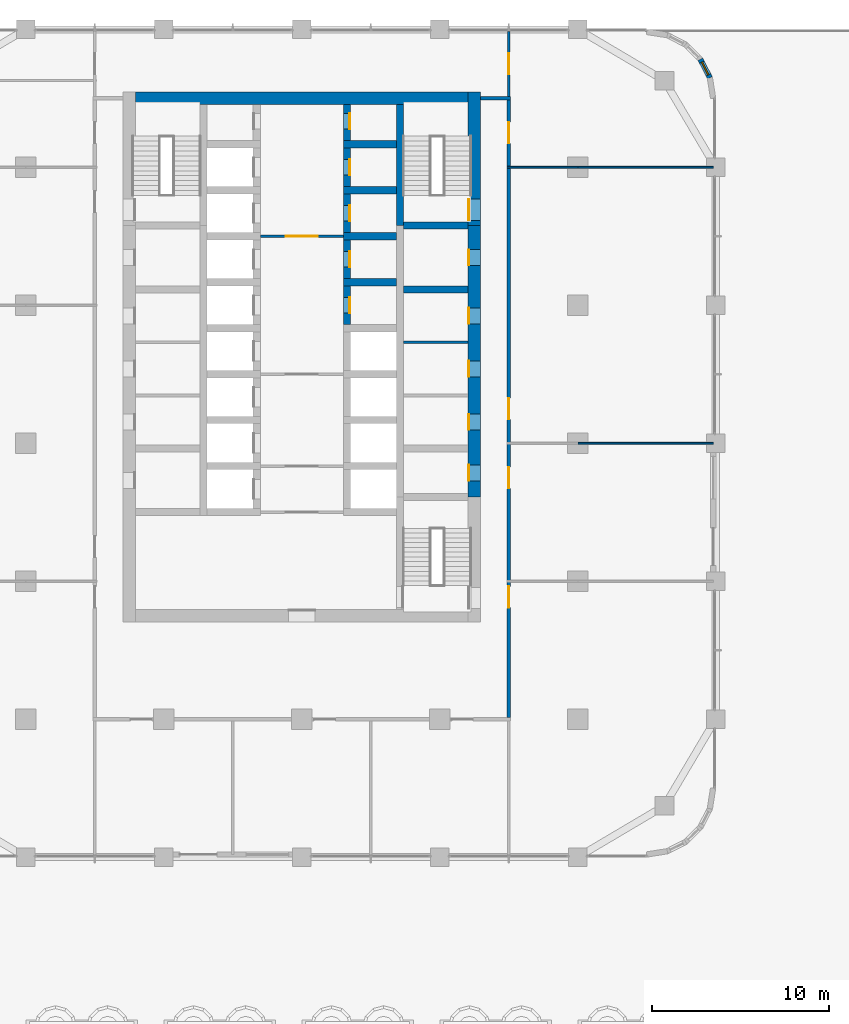
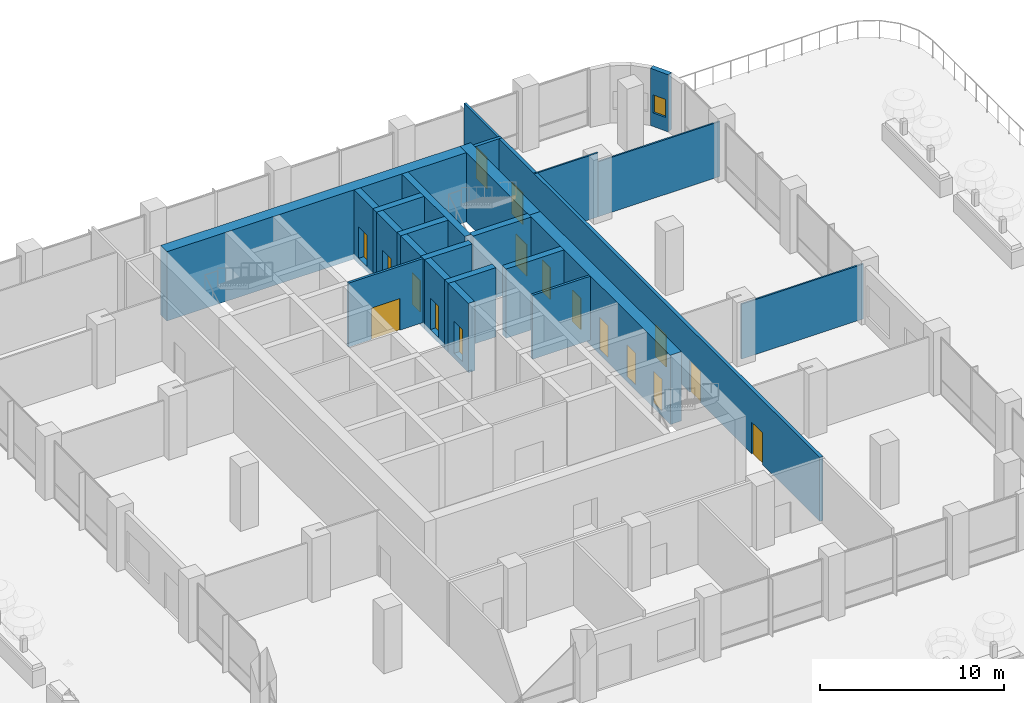
# One storey, part 15 of 31: 24 walls, 17 doors, 1 window, 18 openings.
"""IFC4 building model written with IfcOpenShell, lengths in metres."""

from ifc_helpers import new_model, si_unit, direction, frame, frame_2d, origin, place, context, subcontext, project, spatial, rectangle, extrude, material, layer, layer_set, type_object, element, fill, save


model = new_model("IFC4")

# Units and contexts
model_context = context("Model", 3, precision=1e-05, world=origin(), true_north=direction((0.0, 1.0)))
body_context = subcontext(model_context, "Body", "Model", "MODEL_VIEW")
ifc_project = project(units=[si_unit("LENGTHUNIT", "METRE"), si_unit("AREAUNIT", "SQUARE_METRE"), si_unit("VOLUMEUNIT", "CUBIC_METRE"), si_unit("PLANEANGLEUNIT", "RADIAN"), si_unit("MASSUNIT", "GRAM", prefix="KILO")], contexts=[model_context])

# Site, building, storey
site_placement = place(None, origin())
site = spatial("IfcSite", under=ifc_project, at=site_placement, CompositionType="ELEMENT")
building_placement = place(site_placement, origin())
building = spatial("IfcBuilding", under=site, at=building_placement, Name="Ludao Terraces", CompositionType="ELEMENT")
storey_placement = place(building_placement, frame((0.0, 0.0, 15.0)))
storey = spatial("IfcBuildingStorey", under=building, at=storey_placement, Name="L03", CompositionType="ELEMENT", Elevation=15.0)

# Wall, openings, doors
ifc_material_1 = material(Name="Concrete C70", Category="concrete")
ifc_layer_1 = layer(ifc_material_1, 0.699951171875)
ifc_layer_set_1 = layer_set([ifc_layer_1], Name="Core wall 700 C70")
wall_type_1 = type_object("IfcWallType", Name="Core wall 700 C70", PredefinedType="SOLIDWALL", material=ifc_layer_set_1)
wall_1_placement = place(storey_placement, frame((94.75, 61.949951171875, -0.35009765625), z_axis=(0.0, 0.0, 1.0), x_axis=(0.0, 1.0, 0.0)))
wall_1 = element("IfcWall", 1, at=wall_1_placement, inside=storey, type_object=wall_type_1, Name="Core wall L03 outer-E", PredefinedType="SOLIDWALL", context=body_context, shape_type="SweptSolid", body=[
    extrude(rectangle(XDim=15.35009765625, YDim=0.699951171875, at=frame_2d((7.675048828125, 0.0))), origin(), (0.0, 0.0, 1.0), 4.60009765625),
])
opening_1_placement = place(wall_1_placement, frame((0.925048828125, 0.0, 0.35009765625)))
opening_1 = element("IfcOpeningElement", 2, at=opening_1_placement, cuts=wall_1, Name="Opening A1-014", PredefinedType="OPENING", context=body_context, shape_type="SweptSolid", body=[
    extrude(rectangle(XDim=0.89990234375, YDim=2.10009765625, at=frame_2d((0.449951171875, 1.050048828125))), frame((0.0, 0.35986328125, 0.0), z_axis=(0.0, -1.0, 0.0), x_axis=(1.0, 0.0, 0.0)), (0.0, 0.0, 1.0), 0.719970703125),
])
opening_2_placement = place(wall_1_placement, frame((3.800048828125, 0.0, 0.35009765625)))
opening_2 = element("IfcOpeningElement", 3, at=opening_2_placement, cuts=wall_1, Name="Opening A1-018", PredefinedType="OPENING", context=body_context, shape_type="SweptSolid", body=[
    extrude(rectangle(XDim=0.89990234375, YDim=2.10009765625, at=frame_2d((0.449951171875, 1.050048828125))), frame((0.0, 0.35986328125, 0.0), z_axis=(0.0, -1.0, 0.0), x_axis=(1.0, 0.0, 0.0)), (0.0, 0.0, 1.0), 0.719970703125),
])
opening_3_placement = place(wall_1_placement, frame((6.800048828125, 0.0, 0.35009765625)))
opening_3 = element("IfcOpeningElement", 4, at=opening_3_placement, cuts=wall_1, Name="Opening A1-023", PredefinedType="OPENING", context=body_context, shape_type="SweptSolid", body=[
    extrude(rectangle(XDim=0.89990234375, YDim=2.10009765625, at=frame_2d((0.449951171875, 1.050048828125))), frame((0.0, 0.35986328125, 0.0), z_axis=(0.0, -1.0, 0.0), x_axis=(1.0, 0.0, 0.0)), (0.0, 0.0, 1.0), 0.719970703125),
])
opening_4_placement = place(wall_1_placement, frame((9.800048828125, 0.0, 0.35009765625)))
opening_4 = element("IfcOpeningElement", 5, at=opening_4_placement, cuts=wall_1, Name="Opening A1-026", PredefinedType="OPENING", context=body_context, shape_type="SweptSolid", body=[
    extrude(rectangle(XDim=0.89990234375, YDim=2.10009765625, at=frame_2d((0.449951171875, 1.050048828125))), frame((0.0, 0.35986328125, 0.0), z_axis=(0.0, -1.0, 0.0), x_axis=(1.0, 0.0, 0.0)), (0.0, 0.0, 1.0), 0.719970703125),
])
opening_5_placement = place(wall_1_placement, frame((13.10009765625, 0.0, 0.35009765625)))
opening_5 = element("IfcOpeningElement", 6, at=opening_5_placement, cuts=wall_1, Name="Opening A1-032", PredefinedType="OPENING", context=body_context, shape_type="SweptSolid", body=[
    extrude(rectangle(XDim=0.89990234375, YDim=2.10009765625, at=frame_2d((0.449951171875, 1.050048828125))), frame((0.0, 0.35986328125, 0.0), z_axis=(0.0, -1.0, 0.0), x_axis=(1.0, 0.0, 0.0)), (0.0, 0.0, 1.0), 0.719970703125),
])
ifc_material_2 = material(Name="Steel Q235", Category="steel")
door_type_1 = type_object("IfcDoorType", Name="INT Riser door 900", OperationType="SINGLE_SWING_LEFT", PredefinedType="DOOR", material=ifc_material_2)
door_1_placement = place(opening_1_placement, origin())
door_1 = element("IfcDoor", 7, at=door_1_placement, inside=storey, type_object=door_type_1, Name="DOOR 014", OperationType="SINGLE_SWING_LEFT", OverallHeight=2.10009765625, OverallWidth=0.89990234375, PredefinedType="DOOR", context=body_context, shape_type="SweptSolid", body=[
    extrude(rectangle(XDim=0.89990234375, YDim=2.10009765625, at=frame_2d((0.449951171875, 1.050048828125))), frame((0.0, 0.3349609375, 0.0), z_axis=(0.0, -1.0, 0.0), x_axis=(1.0, 0.0, 0.0)), (0.0, 0.0, 1.0), 0.050048828125),
])
fill(opening_1, door_1)
door_2_placement = place(opening_5_placement, origin())
door_2 = element("IfcDoor", 8, at=door_2_placement, inside=storey, type_object=door_type_1, Name="DOOR 032", OperationType="SINGLE_SWING_LEFT", OverallHeight=2.10009765625, OverallWidth=0.89990234375, PredefinedType="DOOR", context=body_context, shape_type="SweptSolid", body=[
    extrude(rectangle(XDim=0.89990234375, YDim=2.10009765625, at=frame_2d((0.449951171875, 1.050048828125))), frame((0.0, 0.3349609375, 0.0), z_axis=(0.0, -1.0, 0.0), x_axis=(1.0, 0.0, 0.0)), (0.0, 0.0, 1.0), 0.050048828125),
])
fill(opening_5, door_2)
ifc_material_3 = material(Name="Timber door leaf", Category="wood")
door_type_2 = type_object("IfcDoorType", Name="INT Room door 900", OperationType="SINGLE_SWING_LEFT", PredefinedType="DOOR", material=ifc_material_3)
door_3_placement = place(opening_2_placement, origin())
door_3 = element("IfcDoor", 9, at=door_3_placement, inside=storey, type_object=door_type_2, Name="DOOR 018", OperationType="SINGLE_SWING_LEFT", OverallHeight=2.10009765625, OverallWidth=0.89990234375, PredefinedType="DOOR", context=body_context, shape_type="SweptSolid", body=[
    extrude(rectangle(XDim=0.89990234375, YDim=2.10009765625, at=frame_2d((0.449951171875, 1.050048828125))), frame((0.0, 0.3349609375, 0.0), z_axis=(0.0, -1.0, 0.0), x_axis=(1.0, 0.0, 0.0)), (0.0, 0.0, 1.0), 0.050048828125),
])
fill(opening_2, door_3)
door_4_placement = place(opening_3_placement, origin())
door_4 = element("IfcDoor", 10, at=door_4_placement, inside=storey, type_object=door_type_2, Name="DOOR 023", OperationType="SINGLE_SWING_LEFT", OverallHeight=2.10009765625, OverallWidth=0.89990234375, PredefinedType="DOOR", context=body_context, shape_type="SweptSolid", body=[
    extrude(rectangle(XDim=0.89990234375, YDim=2.10009765625, at=frame_2d((0.449951171875, 1.050048828125))), frame((0.0, 0.3349609375, 0.0), z_axis=(0.0, -1.0, 0.0), x_axis=(1.0, 0.0, 0.0)), (0.0, 0.0, 1.0), 0.050048828125),
])
fill(opening_3, door_4)
door_5_placement = place(opening_4_placement, origin())
door_5 = element("IfcDoor", 11, at=door_5_placement, inside=storey, type_object=door_type_2, Name="DOOR 026", OperationType="SINGLE_SWING_RIGHT", OverallHeight=2.10009765625, OverallWidth=0.89990234375, PredefinedType="DOOR", context=body_context, shape_type="SweptSolid", body=[
    extrude(rectangle(XDim=0.89990234375, YDim=2.10009765625, at=frame_2d((0.449951171875, 1.050048828125))), frame((0.0, 0.3349609375, 0.0), z_axis=(0.0, -1.0, 0.0), x_axis=(1.0, 0.0, 0.0)), (0.0, 0.0, 1.0), 0.050048828125),
])
fill(opening_4, door_5)

# Wall, opening, door
wall_2_placement = place(storey_placement, frame((94.75, 77.300048828125, -0.35009765625), z_axis=(0.0, 0.0, 1.0), x_axis=(0.0, 1.0, 0.0)))
wall_2 = element("IfcWall", 12, at=wall_2_placement, inside=storey, type_object=wall_type_1, Name="Core wall L03 outer-E-S2", PredefinedType="SOLIDWALL", context=body_context, shape_type="SweptSolid", body=[
    extrude(rectangle(XDim=7.550048828125, YDim=0.699951171875, at=frame_2d((3.77490234375, 0.0))), origin(), (0.0, 0.0, 1.0), 4.60009765625),
])
opening_6_placement = place(wall_2_placement, frame((0.300048828125, 0.0, 0.35009765625)))
opening_6 = element("IfcOpeningElement", 13, at=opening_6_placement, cuts=wall_2, Name="Opening A1-037", PredefinedType="OPENING", context=body_context, shape_type="SweptSolid", body=[
    extrude(rectangle(XDim=1.199951171875, YDim=2.10009765625, at=frame_2d((0.60009765625, 1.050048828125))), frame((0.0, 0.35986328125, 0.0), z_axis=(0.0, -1.0, 0.0), x_axis=(1.0, 0.0, 0.0)), (0.0, 0.0, 1.0), 0.719970703125),
])
door_type_3 = type_object("IfcDoorType", Name="INT Stair door 1200", OperationType="DOUBLE_DOOR_SINGLE_SWING", PredefinedType="DOOR", material=ifc_material_2)
door_6_placement = place(opening_6_placement, origin())
door_6 = element("IfcDoor", 14, at=door_6_placement, inside=storey, type_object=door_type_3, Name="DOOR 037", OperationType="DOUBLE_DOOR_SINGLE_SWING", OverallHeight=2.10009765625, OverallWidth=1.199951171875, PredefinedType="DOOR", context=body_context, shape_type="SweptSolid", body=[
    extrude(rectangle(XDim=1.199951171875, YDim=2.10009765625, at=frame_2d((0.60009765625, 1.050048828125))), frame((0.0, 0.3349609375, 0.0), z_axis=(0.0, -1.0, 0.0), x_axis=(1.0, 0.0, 0.0)), (0.0, 0.0, 1.0), 0.050048828125),
])
fill(opening_6, door_6)

# Wall
wall_3_placement = place(storey_placement, frame((75.60009765625, 84.5, -0.35009765625), z_axis=(0.0, 0.0, 1.0), x_axis=(1.0, 0.0, 0.0)))
element("IfcWall", 15, at=wall_3_placement, inside=storey, type_object=wall_type_1, Name="Core wall L03 outer-N", PredefinedType="SOLIDWALL", context=body_context, shape_type="SweptSolid", body=[
    extrude(rectangle(XDim=18.7998046875, YDim=0.699951171875, at=frame_2d((9.39990234375, 0.0))), origin(), (0.0, 0.0, 1.0), 4.60009765625),
])

# Wall, opening, window
ifc_material_4 = material(Name="Granite cladding", Category="masonry")
ifc_layer_2 = layer(ifc_material_4, 0.0400390625, Category="stone")
ifc_material_5 = material(Name="Mineral wool")
ifc_layer_3 = layer(ifc_material_5, 0.06005859375)
ifc_material_6 = material(Name="Concrete C40", Category="concrete")
ifc_layer_4 = layer(ifc_material_6, 0.199951171875, Category="concrete")
ifc_layer_set_2 = layer_set([ifc_layer_2, ifc_layer_3, ifc_layer_4], Name="ENV Stone-clad wall 300")
wall_type_2 = type_object("IfcWallType", Name="ENV Stone-clad wall 300", PredefinedType="SOLIDWALL", material=ifc_layer_set_2)
wall_4_placement = place(storey_placement, frame((108.06640625, 85.65869140625, 0.0), z_axis=(0.0, 0.0, 1.0), x_axis=(-0.454025524128, 0.890988677504, 0.0)))
wall_4 = element("IfcWall", 16, at=wall_4_placement, inside=storey, type_object=wall_type_2, Name="EW-L03-NE2", PredefinedType="SOLIDWALL", context=body_context, shape_type="SweptSolid", body=[
    extrude(rectangle(XDim=1.17333984375, YDim=0.300048828125, at=frame_2d((0.586669921875, 0.0))), origin(), (0.0, 0.0, 1.0), 3.800048828125),
])
opening_7_placement = place(wall_4_placement, frame((0.1865234375, 0.0, 0.89990234375)))
opening_7 = element("IfcOpeningElement", 17, at=opening_7_placement, cuts=wall_4, Name="Opening W3", PredefinedType="OPENING", context=body_context, shape_type="SweptSolid", body=[
    extrude(rectangle(XDim=0.800048828125, YDim=1.199951171875, at=frame_2d((0.39990234375, 0.60009765625))), frame((0.0, 0.16015625, 0.0), z_axis=(0.0, -1.0, 0.0), x_axis=(1.0, 0.0, 0.0)), (0.0, 0.0, 1.0), 0.320068359375),
])
ifc_material_7 = material(Name="Clear glass in aluminium frame", Category="aluminium")
ifc_layer_5 = layer(ifc_material_7, 0.06005859375)
ifc_layer_set_3 = layer_set([ifc_layer_5], Name="ENV Window W3 800x1200")
window_type = type_object("IfcWindowType", Name="ENV Window W3 800x1200", PartitioningType="SINGLE_PANEL", PredefinedType="WINDOW", material=ifc_layer_set_3)
window_placement = place(opening_7_placement, origin())
window = element("IfcWindow", 18, at=window_placement, inside=storey, type_object=window_type, Name="W-L03-NE2", OverallHeight=1.199951171875, OverallWidth=0.800048828125, PartitioningType="SINGLE_PANEL", PredefinedType="WINDOW", context=body_context, shape_type="SweptSolid", body=[
    extrude(rectangle(XDim=0.800048828125, YDim=1.199951171875, at=frame_2d((0.39990234375, 0.60009765625))), frame((0.0, 0.030029296875, 0.0), z_axis=(0.0, -1.0, 0.0), x_axis=(1.0, 0.0, 0.0)), (0.0, 0.0, 1.0), 0.06005859375),
])
fill(opening_7, window)

# Wall
ifc_material_8 = material(Name="Fire-rated gypsum plasterboard", Category="gypsum")
ifc_layer_6 = layer(ifc_material_8, 0.012451171875, Category="gypsum")
ifc_layer_7 = layer(ifc_material_5, 0.10009765625, Name="insulation")
ifc_layer_8 = layer(ifc_material_2, 0.02490234375, Name="stud")
ifc_layer_9 = layer(ifc_material_8, 0.012451171875, Category="gypsum")
ifc_layer_set_4 = layer_set([ifc_layer_6, ifc_layer_7, ifc_layer_8, ifc_layer_9], Name="INT Core partition 150")
wall_type_3 = type_object("IfcWallType", Name="INT Core partition 150", PredefinedType="PARTITIONING", material=ifc_layer_set_4)
wall_5_placement = place(storey_placement, frame((90.75, 70.699951171875, 0.0), z_axis=(0.0, 0.0, 1.0), x_axis=(1.0, 0.0, 0.0)))
element("IfcWall", 19, at=wall_5_placement, inside=storey, type_object=wall_type_3, Name="PW-L03-PW010", PredefinedType="PARTITIONING", context=body_context, shape_type="SweptSolid", body=[
    extrude(rectangle(XDim=3.650146484375, YDim=0.14990234375, at=frame_2d((1.8251953125, 0.0))), origin(), (0.0, 0.0, 1.0), 4.25),
])

# Wall, opening, door
wall_6_placement = place(storey_placement, frame((82.650146484375, 76.699951171875, 0.0), z_axis=(0.0, 0.0, 1.0), x_axis=(1.0, 0.0, 0.0)))
wall_6 = element("IfcWall", 20, at=wall_6_placement, inside=storey, type_object=wall_type_3, Name="PW-L03-PW012", PredefinedType="PARTITIONING", context=body_context, shape_type="SweptSolid", body=[
    extrude(rectangle(XDim=4.699951171875, YDim=0.14990234375, at=frame_2d((2.35009765625, 0.0))), origin(), (0.0, 0.0, 1.0), 4.25),
])
opening_8_placement = place(wall_6_placement, frame((1.449951171875, 0.0, 0.0)))
opening_8 = element("IfcOpeningElement", 21, at=opening_8_placement, cuts=wall_6, Name="Opening A1-033", PredefinedType="OPENING", context=body_context, shape_type="SweptSolid", body=[
    extrude(rectangle(XDim=1.800048828125, YDim=2.10009765625, at=frame_2d((0.89990234375, 1.050048828125))), frame((0.0, 0.0849609375, 0.0), z_axis=(0.0, -1.0, 0.0), x_axis=(1.0, 0.0, 0.0)), (0.0, 0.0, 1.0), 0.169921875),
])
door_type_4 = type_object("IfcDoorType", Name="INT Fire lobby door 1800", OperationType="DOUBLE_DOOR_SINGLE_SWING", PredefinedType="DOOR", material=ifc_material_2)
door_7_placement = place(opening_8_placement, origin())
door_7 = element("IfcDoor", 22, at=door_7_placement, inside=storey, type_object=door_type_4, Name="DOOR 033", OperationType="DOUBLE_DOOR_SINGLE_SWING", OverallHeight=2.10009765625, OverallWidth=1.800048828125, PredefinedType="DOOR", context=body_context, shape_type="SweptSolid", body=[
    extrude(rectangle(XDim=1.800048828125, YDim=2.10009765625, at=frame_2d((0.89990234375, 1.050048828125))), frame((0.0, 0.02490234375, 0.0), z_axis=(0.0, -1.0, 0.0), x_axis=(1.0, 0.0, 0.0)), (0.0, 0.0, 1.0), 0.050048828125),
])
fill(opening_8, door_7)

# Wall
ifc_material_9 = material(Name="Autoclaved aerated concrete block B06 A3.5", Category="concrete")
ifc_layer_10 = layer(ifc_material_9, 0.199951171875)
ifc_layer_set_5 = layer_set([ifc_layer_10], Name="INT Entrance wall 200")
wall_type_4 = type_object("IfcWallType", Name="INT Entrance wall 200", PredefinedType="PARTITIONING", material=ifc_layer_set_5)
wall_7_placement = place(storey_placement, frame((95.10009765625, 84.5, 0.0), z_axis=(0.0, 0.0, 1.0), x_axis=(1.0, 0.0, 0.0)))
element("IfcWall", 23, at=wall_7_placement, inside=storey, type_object=wall_type_4, Name="PW-L03-PW016", PredefinedType="PARTITIONING", context=body_context, shape_type="SweptSolid", body=[
    extrude(rectangle(XDim=1.699951171875, YDim=0.199951171875, at=frame_2d((0.85009765625, 0.0))), origin(), (0.0, 0.0, 1.0), 4.25),
])

# Wall, openings, doors
wall_8_placement = place(storey_placement, frame((96.699951171875, 49.5, 0.0), z_axis=(0.0, 0.0, 1.0), x_axis=(0.0, 1.0, 0.0)))
wall_8 = element("IfcWall", 24, at=wall_8_placement, inside=storey, type_object=wall_type_4, Name="PW-L03-PW024", PredefinedType="PARTITIONING", context=body_context, shape_type="SweptSolid", body=[
    extrude(rectangle(XDim=34.900146484375, YDim=0.199951171875, at=frame_2d((17.4501953125, 0.0))), origin(), (0.0, 0.0, 1.0), 4.25),
])
opening_9_placement = place(wall_8_placement, frame((6.2001953125, 0.0, 0.0)))
opening_9 = element("IfcOpeningElement", 25, at=opening_9_placement, cuts=wall_8, Name="Opening A1-008", PredefinedType="OPENING", context=body_context, shape_type="SweptSolid", body=[
    extrude(rectangle(XDim=1.199951171875, YDim=2.10009765625, at=frame_2d((0.60009765625, 1.050048828125))), frame((0.0, 0.10986328125, 0.0), z_axis=(0.0, -1.0, 0.0), x_axis=(1.0, 0.0, 0.0)), (0.0, 0.0, 1.0), 0.219970703125),
])
opening_10_placement = place(wall_8_placement, frame((12.9501953125, 0.0, 0.0)))
opening_10 = element("IfcOpeningElement", 26, at=opening_10_placement, cuts=wall_8, Name="Opening A1-013", PredefinedType="OPENING", context=body_context, shape_type="SweptSolid", body=[
    extrude(rectangle(XDim=1.199951171875, YDim=2.10009765625, at=frame_2d((0.60009765625, 1.050048828125))), frame((0.0, 0.10986328125, 0.0), z_axis=(0.0, -1.0, 0.0), x_axis=(1.0, 0.0, 0.0)), (0.0, 0.0, 1.0), 0.219970703125),
])
opening_11_placement = place(wall_8_placement, frame((16.85009765625, 0.0, 0.0)))
opening_11 = element("IfcOpeningElement", 27, at=opening_11_placement, cuts=wall_8, Name="Opening A1-019", PredefinedType="OPENING", context=body_context, shape_type="SweptSolid", body=[
    extrude(rectangle(XDim=1.199951171875, YDim=2.10009765625, at=frame_2d((0.60009765625, 1.050048828125))), frame((0.0, 0.10986328125, 0.0), z_axis=(0.0, -1.0, 0.0), x_axis=(1.0, 0.0, 0.0)), (0.0, 0.0, 1.0), 0.219970703125),
])
opening_12_placement = place(wall_8_placement, frame((32.4501953125, 0.0, 0.0)))
opening_12 = element("IfcOpeningElement", 28, at=opening_12_placement, cuts=wall_8, Name="Opening A1-042", PredefinedType="OPENING", context=body_context, shape_type="SweptSolid", body=[
    extrude(rectangle(XDim=1.199951171875, YDim=2.10009765625, at=frame_2d((0.60009765625, 1.050048828125))), frame((0.0, 0.10986328125, 0.0), z_axis=(0.0, -1.0, 0.0), x_axis=(1.0, 0.0, 0.0)), (0.0, 0.0, 1.0), 0.219970703125),
])
door_type_5 = type_object("IfcDoorType", Name="INT Double door 1200", OperationType="DOUBLE_DOOR_SINGLE_SWING", PredefinedType="DOOR", material=ifc_material_3)
door_8_placement = place(opening_9_placement, origin())
door_8 = element("IfcDoor", 29, at=door_8_placement, inside=storey, type_object=door_type_5, Name="DOOR 008", OperationType="DOUBLE_DOOR_SINGLE_SWING", OverallHeight=2.10009765625, OverallWidth=1.199951171875, PredefinedType="DOOR", context=body_context, shape_type="SweptSolid", body=[
    extrude(rectangle(XDim=1.199951171875, YDim=2.10009765625, at=frame_2d((0.60009765625, 1.050048828125))), frame((0.0, 0.02490234375, 0.0), z_axis=(0.0, -1.0, 0.0), x_axis=(1.0, 0.0, 0.0)), (0.0, 0.0, 1.0), 0.050048828125),
])
fill(opening_9, door_8)
door_9_placement = place(opening_10_placement, origin())
door_9 = element("IfcDoor", 30, at=door_9_placement, inside=storey, type_object=door_type_5, Name="DOOR 013", OperationType="DOUBLE_DOOR_SINGLE_SWING", OverallHeight=2.10009765625, OverallWidth=1.199951171875, PredefinedType="DOOR", context=body_context, shape_type="SweptSolid", body=[
    extrude(rectangle(XDim=1.199951171875, YDim=2.10009765625, at=frame_2d((0.60009765625, 1.050048828125))), frame((0.0, 0.02490234375, 0.0), z_axis=(0.0, -1.0, 0.0), x_axis=(1.0, 0.0, 0.0)), (0.0, 0.0, 1.0), 0.050048828125),
])
fill(opening_10, door_9)
door_10_placement = place(opening_11_placement, origin())
door_10 = element("IfcDoor", 31, at=door_10_placement, inside=storey, type_object=door_type_5, Name="DOOR 019", OperationType="DOUBLE_DOOR_SINGLE_SWING", OverallHeight=2.10009765625, OverallWidth=1.199951171875, PredefinedType="DOOR", context=body_context, shape_type="SweptSolid", body=[
    extrude(rectangle(XDim=1.199951171875, YDim=2.10009765625, at=frame_2d((0.60009765625, 1.050048828125))), frame((0.0, 0.02490234375, 0.0), z_axis=(0.0, -1.0, 0.0), x_axis=(1.0, 0.0, 0.0)), (0.0, 0.0, 1.0), 0.050048828125),
])
fill(opening_11, door_10)
door_11_placement = place(opening_12_placement, origin())
door_11 = element("IfcDoor", 32, at=door_11_placement, inside=storey, type_object=door_type_5, Name="DOOR 042", OperationType="DOUBLE_DOOR_SINGLE_SWING", OverallHeight=2.10009765625, OverallWidth=1.199951171875, PredefinedType="DOOR", context=body_context, shape_type="SweptSolid", body=[
    extrude(rectangle(XDim=1.199951171875, YDim=2.10009765625, at=frame_2d((0.60009765625, 1.050048828125))), frame((0.0, 0.02490234375, 0.0), z_axis=(0.0, -1.0, 0.0), x_axis=(1.0, 0.0, 0.0)), (0.0, 0.0, 1.0), 0.050048828125),
])
fill(opening_12, door_11)

# Walls
ifc_material_10 = material(Name="Gypsum plasterboard", Category="gypsum")
ifc_layer_11 = layer(ifc_material_10, 0.012451171875, Category="gypsum")
ifc_layer_12 = layer(ifc_material_5, 0.06005859375, Name="insulation")
ifc_layer_13 = layer(ifc_material_2, 0.014892578125, Name="stud")
ifc_layer_14 = layer(ifc_material_10, 0.012451171875, Category="gypsum")
ifc_layer_set_6 = layer_set([ifc_layer_11, ifc_layer_12, ifc_layer_13, ifc_layer_14], Name="INT Partition 100")
wall_type_5 = type_object("IfcWallType", Name="INT Partition 100", PredefinedType="PARTITIONING", material=ifc_layer_set_6)
wall_9_placement = place(storey_placement, frame((100.60009765625, 65.0, 0.0), z_axis=(0.0, 0.0, 1.0), x_axis=(1.0, 0.0, 0.0)))
element("IfcWall", 33, at=wall_9_placement, inside=storey, type_object=wall_type_5, Name="PW-L03-PW005-2", PredefinedType="PARTITIONING", context=body_context, shape_type="SweptSolid", body=[
    extrude(rectangle(XDim=7.664794921875, YDim=0.10009765625, at=frame_2d((3.83251953125, 0.0))), origin(), (0.0, 0.0, 1.0), 3.64990234375),
])
wall_10_placement = place(storey_placement, frame((96.60009765625, 80.60009765625, 0.0), z_axis=(0.0, 0.0, 1.0), x_axis=(1.0, 0.0, 0.0)))
element("IfcWall", 34, at=wall_10_placement, inside=storey, type_object=wall_type_5, Name="PW-L03-PW014", PredefinedType="PARTITIONING", context=body_context, shape_type="SweptSolid", body=[
    extrude(rectangle(XDim=4.0, YDim=0.10009765625, at=frame_2d((2.0, 0.0))), origin(), (0.0, 0.0, 1.0), 4.25),
])
wall_11_placement = place(storey_placement, frame((100.60009765625, 80.60009765625, 0.0), z_axis=(0.0, 0.0, 1.0), x_axis=(1.0, 0.0, 0.0)))
element("IfcWall", 35, at=wall_11_placement, inside=storey, type_object=wall_type_5, Name="PW-L03-PW014-2", PredefinedType="PARTITIONING", context=body_context, shape_type="SweptSolid", body=[
    extrude(rectangle(XDim=7.664794921875, YDim=0.10009765625, at=frame_2d((3.83251953125, 0.0))), origin(), (0.0, 0.0, 1.0), 3.64990234375),
])

# Wall, opening, door
ifc_layer_15 = layer(ifc_material_9, 0.14990234375)
ifc_layer_set_7 = layer_set([ifc_layer_15], Name="INT Party wall 150")
wall_type_6 = type_object("IfcWallType", Name="INT Party wall 150", PredefinedType="PARTITIONING", material=ifc_layer_set_7)
wall_12_placement = place(storey_placement, frame((96.699951171875, 84.60009765625, 0.0), z_axis=(0.0, 0.0, 1.0), x_axis=(0.0, 1.0, 0.0)))
wall_12 = element("IfcWall", 36, at=wall_12_placement, inside=storey, type_object=wall_type_6, Name="PW-L03-PW025", PredefinedType="PARTITIONING", context=body_context, shape_type="SweptSolid", body=[
    extrude(rectangle(XDim=3.664794921875, YDim=0.14990234375, at=frame_2d((1.83251953125, 0.0))), origin(), (0.0, 0.0, 1.0), 4.25),
])
opening_13_placement = place(wall_12_placement, frame((1.25, 0.0, 0.0)))
opening_13 = element("IfcOpeningElement", 37, at=opening_13_placement, cuts=wall_12, Name="Opening A1-046", PredefinedType="OPENING", context=body_context, shape_type="SweptSolid", body=[
    extrude(rectangle(XDim=1.199951171875, YDim=2.10009765625, at=frame_2d((0.60009765625, 1.050048828125))), frame((0.0, 0.0849609375, 0.0), z_axis=(0.0, -1.0, 0.0), x_axis=(1.0, 0.0, 0.0)), (0.0, 0.0, 1.0), 0.169921875),
])
door_12_placement = place(opening_13_placement, origin())
door_12 = element("IfcDoor", 38, at=door_12_placement, inside=storey, type_object=door_type_5, Name="DOOR 046", OperationType="DOUBLE_DOOR_SINGLE_SWING", OverallHeight=2.10009765625, OverallWidth=1.199951171875, PredefinedType="DOOR", context=body_context, shape_type="SweptSolid", body=[
    extrude(rectangle(XDim=1.199951171875, YDim=2.10009765625, at=frame_2d((0.60009765625, 1.050048828125))), frame((0.0, 0.02490234375, 0.0), z_axis=(0.0, -1.0, 0.0), x_axis=(1.0, 0.0, 0.0)), (0.0, 0.0, 1.0), 0.050048828125),
])
fill(opening_13, door_12)

# Wall
ifc_material_11 = material(Name="Concrete C60", Category="concrete")
ifc_layer_16 = layer(ifc_material_11, 0.39990234375)
ifc_layer_set_8 = layer_set([ifc_layer_16], Name="Shaft wall 400 C60")
wall_type_7 = type_object("IfcWallType", Name="Shaft wall 400 C60", PredefinedType="SOLIDWALL", material=ifc_layer_set_8)
wall_13_placement = place(storey_placement, frame((90.550048828125, 77.300048828125, -0.35009765625), z_axis=(0.0, 0.0, 1.0), x_axis=(0.0, 1.0, 0.0)))
element("IfcWall", 39, at=wall_13_placement, inside=storey, type_object=wall_type_7, Name="Core wall L03 back-E-S2", PredefinedType="SOLIDWALL", context=body_context, shape_type="SweptSolid", body=[
    extrude(rectangle(XDim=6.849853515625, YDim=0.39990234375, at=frame_2d((3.4248046875, 0.0))), origin(), (0.0, 0.0, 1.0), 4.60009765625),
])

# Wall, opening, door
wall_14_placement = place(storey_placement, frame((87.550048828125, 71.699951171875, -0.35009765625), z_axis=(0.0, 0.0, 1.0), x_axis=(0.0, 1.0, 0.0)))
wall_14 = element("IfcWall", 40, at=wall_14_placement, inside=storey, type_object=wall_type_7, Name="Core wall L03 front-E5", PredefinedType="SOLIDWALL", context=body_context, shape_type="SweptSolid", body=[
    extrude(rectangle(XDim=2.199951171875, YDim=0.39990234375, at=frame_2d((1.10009765625, 0.0))), origin(), (0.0, 0.0, 1.0), 4.60009765625),
])
opening_14_placement = place(wall_14_placement, frame((0.64990234375, 0.0, 0.35009765625)))
opening_14 = element("IfcOpeningElement", 41, at=opening_14_placement, cuts=wall_14, Name="Opening A1-028", PredefinedType="OPENING", context=body_context, shape_type="SweptSolid", body=[
    extrude(rectangle(XDim=0.89990234375, YDim=2.10009765625, at=frame_2d((0.449951171875, 1.050048828125))), frame((0.0, 0.2099609375, 0.0), z_axis=(0.0, -1.0, 0.0), x_axis=(1.0, 0.0, 0.0)), (0.0, 0.0, 1.0), 0.419921875),
])
door_13_placement = place(opening_14_placement, origin())
door_13 = element("IfcDoor", 42, at=door_13_placement, inside=storey, type_object=door_type_2, Name="DOOR 028", OperationType="SINGLE_SWING_RIGHT", OverallHeight=2.10009765625, OverallWidth=0.89990234375, PredefinedType="DOOR", context=body_context, shape_type="SweptSolid", body=[
    extrude(rectangle(XDim=0.89990234375, YDim=2.10009765625, at=frame_2d((0.449951171875, 1.050048828125))), frame((0.0, -0.134765625, 0.0), z_axis=(0.0, -1.0, 0.0), x_axis=(1.0, 0.0, 0.0)), (0.0, 0.0, 1.0), 0.050048828125),
])
fill(opening_14, door_13)

# Wall
wall_15_placement = place(storey_placement, frame((87.35009765625, 74.10009765625, -0.35009765625), z_axis=(0.0, 0.0, 1.0), x_axis=(1.0, 0.0, 0.0)))
element("IfcWall", 43, at=wall_15_placement, inside=storey, type_object=wall_type_7, Name="Core wall L03 div-E6", PredefinedType="SOLIDWALL", context=body_context, shape_type="SweptSolid", body=[
    extrude(rectangle(XDim=3.0, YDim=0.39990234375, at=frame_2d((1.5, 0.0))), origin(), (0.0, 0.0, 1.0), 4.60009765625),
])

# Wall, opening, door
wall_16_placement = place(storey_placement, frame((87.550048828125, 74.300048828125, -0.35009765625), z_axis=(0.0, 0.0, 1.0), x_axis=(0.0, 1.0, 0.0)))
wall_16 = element("IfcWall", 44, at=wall_16_placement, inside=storey, type_object=wall_type_7, Name="Core wall L03 front-E6", PredefinedType="SOLIDWALL", context=body_context, shape_type="SweptSolid", body=[
    extrude(rectangle(XDim=2.199951171875, YDim=0.39990234375, at=frame_2d((1.10009765625, 0.0))), origin(), (0.0, 0.0, 1.0), 4.60009765625),
])
opening_15_placement = place(wall_16_placement, frame((0.64990234375, 0.0, 0.35009765625)))
opening_15 = element("IfcOpeningElement", 45, at=opening_15_placement, cuts=wall_16, Name="Opening A1-030", PredefinedType="OPENING", context=body_context, shape_type="SweptSolid", body=[
    extrude(rectangle(XDim=0.89990234375, YDim=2.10009765625, at=frame_2d((0.449951171875, 1.050048828125))), frame((0.0, 0.2099609375, 0.0), z_axis=(0.0, -1.0, 0.0), x_axis=(1.0, 0.0, 0.0)), (0.0, 0.0, 1.0), 0.419921875),
])
door_14_placement = place(opening_15_placement, origin())
door_14 = element("IfcDoor", 46, at=door_14_placement, inside=storey, type_object=door_type_2, Name="DOOR 030", OperationType="SINGLE_SWING_LEFT", OverallHeight=2.10009765625, OverallWidth=0.89990234375, PredefinedType="DOOR", context=body_context, shape_type="SweptSolid", body=[
    extrude(rectangle(XDim=0.89990234375, YDim=2.10009765625, at=frame_2d((0.449951171875, 1.050048828125))), frame((0.0, -0.134765625, 0.0), z_axis=(0.0, -1.0, 0.0), x_axis=(1.0, 0.0, 0.0)), (0.0, 0.0, 1.0), 0.050048828125),
])
fill(opening_15, door_14)

# Wall
wall_17_placement = place(storey_placement, frame((87.35009765625, 76.699951171875, -0.35009765625), z_axis=(0.0, 0.0, 1.0), x_axis=(1.0, 0.0, 0.0)))
element("IfcWall", 47, at=wall_17_placement, inside=storey, type_object=wall_type_7, Name="Core wall L03 div-E7", PredefinedType="SOLIDWALL", context=body_context, shape_type="SweptSolid", body=[
    extrude(rectangle(XDim=3.0, YDim=0.39990234375, at=frame_2d((1.5, 0.0))), origin(), (0.0, 0.0, 1.0), 4.60009765625),
])

# Wall, opening, door
wall_18_placement = place(storey_placement, frame((87.550048828125, 76.89990234375, -0.35009765625), z_axis=(0.0, 0.0, 1.0), x_axis=(0.0, 1.0, 0.0)))
wall_18 = element("IfcWall", 48, at=wall_18_placement, inside=storey, type_object=wall_type_7, Name="Core wall L03 front-E7", PredefinedType="SOLIDWALL", context=body_context, shape_type="SweptSolid", body=[
    extrude(rectangle(XDim=2.2001953125, YDim=0.39990234375, at=frame_2d((1.10009765625, 0.0))), origin(), (0.0, 0.0, 1.0), 4.60009765625),
])
opening_16_placement = place(wall_18_placement, frame((0.64990234375, 0.0, 0.35009765625)))
opening_16 = element("IfcOpeningElement", 49, at=opening_16_placement, cuts=wall_18, Name="Opening A1-035", PredefinedType="OPENING", context=body_context, shape_type="SweptSolid", body=[
    extrude(rectangle(XDim=0.89990234375, YDim=2.10009765625, at=frame_2d((0.449951171875, 1.050048828125))), frame((0.0, 0.2099609375, 0.0), z_axis=(0.0, -1.0, 0.0), x_axis=(1.0, 0.0, 0.0)), (0.0, 0.0, 1.0), 0.419921875),
])
door_15_placement = place(opening_16_placement, origin())
door_15 = element("IfcDoor", 50, at=door_15_placement, inside=storey, type_object=door_type_2, Name="DOOR 035", OperationType="SINGLE_SWING_RIGHT", OverallHeight=2.10009765625, OverallWidth=0.89990234375, PredefinedType="DOOR", context=body_context, shape_type="SweptSolid", body=[
    extrude(rectangle(XDim=0.89990234375, YDim=2.10009765625, at=frame_2d((0.449951171875, 1.050048828125))), frame((0.0, -0.134765625, 0.0), z_axis=(0.0, -1.0, 0.0), x_axis=(1.0, 0.0, 0.0)), (0.0, 0.0, 1.0), 0.050048828125),
])
fill(opening_16, door_15)

# Wall
wall_19_placement = place(storey_placement, frame((87.35009765625, 79.300048828125, -0.35009765625), z_axis=(0.0, 0.0, 1.0), x_axis=(1.0, 0.0, 0.0)))
element("IfcWall", 51, at=wall_19_placement, inside=storey, type_object=wall_type_7, Name="Core wall L03 div-E8", PredefinedType="SOLIDWALL", context=body_context, shape_type="SweptSolid", body=[
    extrude(rectangle(XDim=3.0, YDim=0.39990234375, at=frame_2d((1.5, 0.0))), origin(), (0.0, 0.0, 1.0), 4.60009765625),
])

# Wall, opening, door
wall_20_placement = place(storey_placement, frame((87.550048828125, 79.5, -0.35009765625), z_axis=(0.0, 0.0, 1.0), x_axis=(0.0, 1.0, 0.0)))
wall_20 = element("IfcWall", 52, at=wall_20_placement, inside=storey, type_object=wall_type_7, Name="Core wall L03 front-E8", PredefinedType="SOLIDWALL", context=body_context, shape_type="SweptSolid", body=[
    extrude(rectangle(XDim=2.199951171875, YDim=0.39990234375, at=frame_2d((1.10009765625, 0.0))), origin(), (0.0, 0.0, 1.0), 4.60009765625),
])
opening_17_placement = place(wall_20_placement, frame((0.64990234375, 0.0, 0.35009765625)))
opening_17 = element("IfcOpeningElement", 53, at=opening_17_placement, cuts=wall_20, Name="Opening A1-040", PredefinedType="OPENING", context=body_context, shape_type="SweptSolid", body=[
    extrude(rectangle(XDim=0.89990234375, YDim=2.10009765625, at=frame_2d((0.449951171875, 1.050048828125))), frame((0.0, 0.2099609375, 0.0), z_axis=(0.0, -1.0, 0.0), x_axis=(1.0, 0.0, 0.0)), (0.0, 0.0, 1.0), 0.419921875),
])
door_16_placement = place(opening_17_placement, origin())
door_16 = element("IfcDoor", 54, at=door_16_placement, inside=storey, type_object=door_type_2, Name="DOOR 040", OperationType="SINGLE_SWING_RIGHT", OverallHeight=2.10009765625, OverallWidth=0.89990234375, PredefinedType="DOOR", context=body_context, shape_type="SweptSolid", body=[
    extrude(rectangle(XDim=0.89990234375, YDim=2.10009765625, at=frame_2d((0.449951171875, 1.050048828125))), frame((0.0, -0.134765625, 0.0), z_axis=(0.0, -1.0, 0.0), x_axis=(1.0, 0.0, 0.0)), (0.0, 0.0, 1.0), 0.050048828125),
])
fill(opening_17, door_16)

# Wall
wall_21_placement = place(storey_placement, frame((87.35009765625, 81.89990234375, -0.35009765625), z_axis=(0.0, 0.0, 1.0), x_axis=(1.0, 0.0, 0.0)))
element("IfcWall", 55, at=wall_21_placement, inside=storey, type_object=wall_type_7, Name="Core wall L03 div-E9", PredefinedType="SOLIDWALL", context=body_context, shape_type="SweptSolid", body=[
    extrude(rectangle(XDim=3.0, YDim=0.39990234375, at=frame_2d((1.5, 0.0))), origin(), (0.0, 0.0, 1.0), 4.60009765625),
])

# Wall, opening, door
wall_22_placement = place(storey_placement, frame((87.550048828125, 82.10009765625, -0.35009765625), z_axis=(0.0, 0.0, 1.0), x_axis=(0.0, 1.0, 0.0)))
wall_22 = element("IfcWall", 56, at=wall_22_placement, inside=storey, type_object=wall_type_7, Name="Core wall L03 front-E9", PredefinedType="SOLIDWALL", context=body_context, shape_type="SweptSolid", body=[
    extrude(rectangle(XDim=2.0498046875, YDim=0.39990234375, at=frame_2d((1.02490234375, 0.0))), origin(), (0.0, 0.0, 1.0), 4.60009765625),
])
opening_18_placement = place(wall_22_placement, frame((0.64990234375, 0.0, 0.35009765625)))
opening_18 = element("IfcOpeningElement", 57, at=opening_18_placement, cuts=wall_22, Name="Opening A1-044", PredefinedType="OPENING", context=body_context, shape_type="SweptSolid", body=[
    extrude(rectangle(XDim=0.89990234375, YDim=2.10009765625, at=frame_2d((0.449951171875, 1.050048828125))), frame((0.0, 0.2099609375, 0.0), z_axis=(0.0, -1.0, 0.0), x_axis=(1.0, 0.0, 0.0)), (0.0, 0.0, 1.0), 0.419921875),
])
door_17_placement = place(opening_18_placement, origin())
door_17 = element("IfcDoor", 58, at=door_17_placement, inside=storey, type_object=door_type_2, Name="DOOR 044", OperationType="SINGLE_SWING_LEFT", OverallHeight=2.10009765625, OverallWidth=0.89990234375, PredefinedType="DOOR", context=body_context, shape_type="SweptSolid", body=[
    extrude(rectangle(XDim=0.89990234375, YDim=2.10009765625, at=frame_2d((0.449951171875, 1.050048828125))), frame((0.0, -0.134765625, 0.0), z_axis=(0.0, -1.0, 0.0), x_axis=(1.0, 0.0, 0.0)), (0.0, 0.0, 1.0), 0.050048828125),
])
fill(opening_18, door_17)

# Walls
for number, where, z_axis, x_axis, name in (
    (59, (90.75, 73.699951171875, -0.35009765625), (0.0, 0.0, 1.0), (1.0, 0.0, 0.0), "Core wall L03 riser-b-E"),
    (60, (90.75, 77.300048828125, -0.35009765625), (0.0, 0.0, 1.0), (1.0, 0.0, 0.0), "Core wall L03 stair-E"),
):
    element("IfcWall", number, at=place(storey_placement, frame(where, z_axis=z_axis, x_axis=x_axis)), inside=storey, type_object=wall_type_7, Name=name, PredefinedType="SOLIDWALL", context=body_context, shape_type="SweptSolid", body=[
        extrude(rectangle(XDim=3.64990234375, YDim=0.39990234375, at=frame_2d((1.824951171875, 0.0))), origin(), (0.0, 0.0, 1.0), 4.60009765625),
    ])

save(model, "model.ifc")
